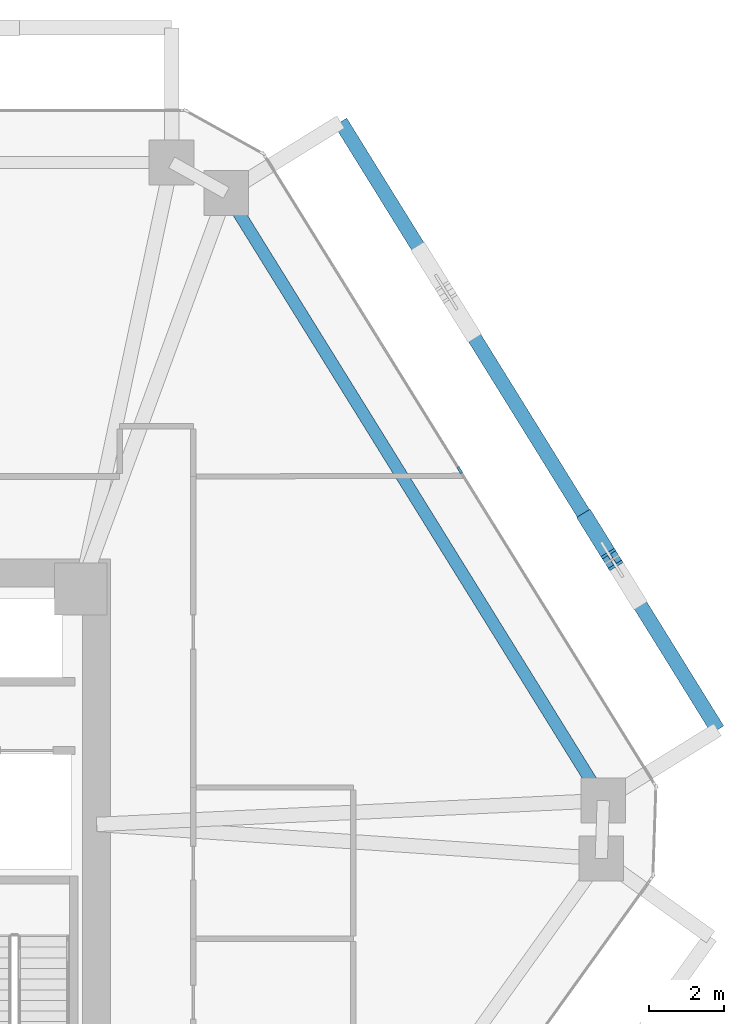
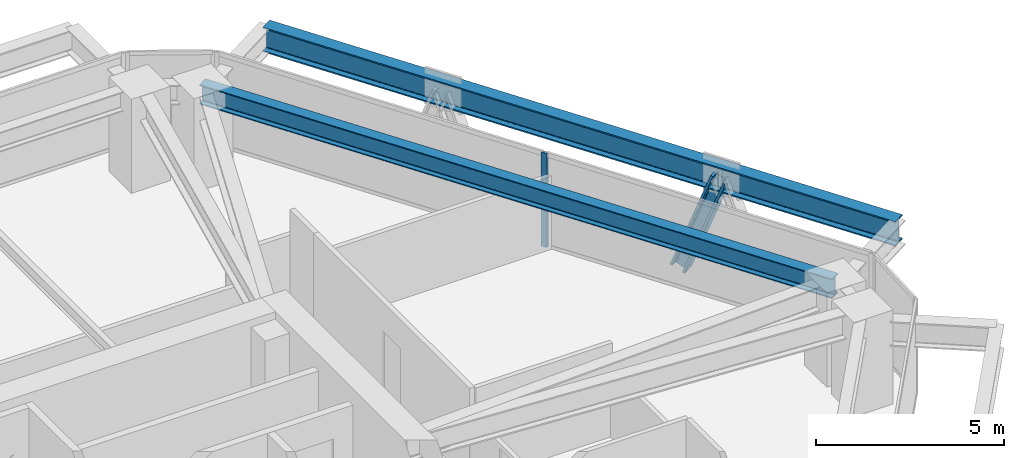
# One storey, part 6 of 15: 2 beams, 2 members, 1 element without a shape of its own.
"""IFC4 building model written with IfcOpenShell, lengths in metres."""

from ifc_helpers import new_model, si_unit, direction, frame, origin, origin_2d, place, context, subcontext, project, spatial, rectangle, i_section, extrude, source, transform, mapped, material, layer, layer_set, material_profile, profile_set, type_object, type_shapes, element, aggregate, save


model = new_model("IFC4")

# Units and contexts
model_context = context("Model", 3, precision=1e-05, world=origin(), true_north=direction((0.0, 1.0)))
body_context = subcontext(model_context, "Body", "Model", "MODEL_VIEW")
ifc_project = project(units=[si_unit("LENGTHUNIT", "METRE"), si_unit("AREAUNIT", "SQUARE_METRE"), si_unit("VOLUMEUNIT", "CUBIC_METRE"), si_unit("PLANEANGLEUNIT", "RADIAN"), si_unit("MASSUNIT", "GRAM", prefix="KILO")], contexts=[model_context])

# Site, building, storey
site_placement = place(None, origin())
site = spatial("IfcSite", under=ifc_project, at=site_placement, CompositionType="ELEMENT")
building_placement = place(site_placement, origin())
building = spatial("IfcBuilding", under=site, at=building_placement, Name="Durnholm Broadcast Tower", CompositionType="ELEMENT")
storey_placement = place(building_placement, frame((0.0, 0.0, 104.10009765625)))
storey = spatial("IfcBuildingStorey", under=building, at=storey_placement, Name="L27", CompositionType="ELEMENT", Elevation=104.10009765625)

# Beams
ifc_material_1 = material(Name="Steel ASTM A992 Grade 50", Category="steel")
ifc_material_profile_1 = material_profile(ifc_material_1, i_section(OverallWidth=0.3291015625, OverallDepth=0.635009765625, WebThickness=0.017822265625, FlangeThickness=0.031005859375, FilletRadius=0.02783203125, at=origin_2d()), Name="W24X162")
ifc_profile_set_1 = profile_set([ifc_material_profile_1], Name="Steel ASTM A992 Grade 50")
beam_type_1 = type_object("IfcBeamType", Name="STL-SP-W24X162", PredefinedType="SPANDREL", material=ifc_profile_set_1)
shared_shape_1 = source(origin(), body_context, "Body", "SweptSolid", [
    extrude(i_section(OverallWidth=0.3291015625, OverallDepth=0.635009765625, WebThickness=0.017822265625, FlangeThickness=0.031005859375, FilletRadius=0.02783203125, at=origin_2d()), origin(), (0.0, 0.0, 1.0), 19.139404296875),
])
type_shapes(beam_type_1, [shared_shape_1])
beam_1_placement = place(storey_placement, frame((13.692138671875, 18.4013671875, 2.727294921875), z_axis=(0.527111038734, -0.84979641847, 0.0), x_axis=(0.84979641847, 0.527111038734, 0.0)))
element("IfcBeam", 1, at=beam_1_placement, inside=storey, type_object=beam_type_1, Name="L27 perimeter spandrel girder 07", PredefinedType="SPANDREL", context=body_context, shape_type="MappedRepresentation", body=[
    mapped(shared_shape_1, transform((0.0, 0.0, 0.0), x_axis=(1.0, 0.0, 0.0), y_axis=(0.0, 1.0, 0.0), z_axis=(0.0, 0.0, 1.0), scale=1.0)),
])
ifc_material_profile_2 = material_profile(ifc_material_1, i_section(OverallWidth=0.385009765625, OverallDepth=0.802978515625, WebThickness=0.023681640625, FlangeThickness=0.0419921875, FilletRadius=0.032958984375, at=origin_2d()), Name="W30X261")
ifc_profile_set_2 = profile_set([ifc_material_profile_2], Name="Steel ASTM A992 Grade 50")
beam_type_2 = type_object("IfcBeamType", Name="BM-EXO-TIE", PredefinedType="USERDEFINED", material=ifc_profile_set_2)
shared_shape_2 = source(origin(), body_context, "Body", "SweptSolid", [
    extrude(i_section(OverallWidth=0.385009765625, OverallDepth=0.802978515625, WebThickness=0.023681640625, FlangeThickness=0.0419921875, FilletRadius=0.032958984375, at=origin_2d()), origin(), (0.0, 0.0, 1.0), 19.139404296875),
])
type_shapes(beam_type_2, [shared_shape_2])
beam_2_placement = place(storey_placement, frame((26.840087890625, 4.0341796875, 2.30859375), z_axis=(-0.527111038734, 0.84979641847, 0.0), x_axis=(-0.84979641847, -0.527111038734, 0.0)))
element("IfcBeam", 2, at=beam_2_placement, inside=storey, type_object=beam_type_2, Name="L27 exoskeleton collector spandrel F3", PredefinedType="SPANDREL", context=body_context, shape_type="MappedRepresentation", body=[
    mapped(shared_shape_2, transform((0.0, 0.0, 0.0), x_axis=(1.0, 0.0, 0.0), y_axis=(0.0, 1.0, 0.0), z_axis=(0.0, 0.0, 1.0), scale=1.0)),
])

# Member
ifc_material_2 = material(Name="Steel ASTM A913 Grade 65", Category="steel")
ifc_material_profile_3 = material_profile(ifc_material_2, i_section(OverallWidth=0.424072265625, OverallDepth=0.47412109375, WebThickness=0.047607421875, FlangeThickness=0.0771484375, FilletRadius=0.030517578125, at=origin_2d()), Name="W14X426")
ifc_profile_set_3 = profile_set([ifc_material_profile_3], Name="Steel ASTM A913 Grade 65")
member_type_1 = type_object("IfcMemberType", Name="STL-DG-W14X426", PredefinedType="BRACE", material=ifc_profile_set_3)
shared_shape_3 = source(origin(), body_context, "Body", "SweptSolid", [
    extrude(i_section(OverallWidth=0.424072265625, OverallDepth=0.47412109375, WebThickness=0.047607421875, FlangeThickness=0.0771484375, FilletRadius=0.030517578125, at=origin_2d()), origin(), (0.0, 0.0, 1.0), 3.523193359375),
])
type_shapes(member_type_1, [shared_shape_3])
member_1_placement = place(storey_placement, frame((23.36474609375, 9.63671875, -0.991455078125), z_axis=(0.184606642766, -0.297560406921, 0.936684681032), x_axis=(0.849750220063, 0.527185511469, 0.0)))
element("IfcMember", 3, at=member_1_placement, inside=storey, type_object=member_type_1, Name="L27 stand-off diagrid brace F3.D1.2", PredefinedType="BRACE", context=body_context, shape_type="MappedRepresentation", body=[
    mapped(shared_shape_3, transform((0.0, 0.0, 0.0), x_axis=(1.0, 0.0, 0.0), y_axis=(0.0, 1.0, 0.0), z_axis=(0.0, 0.0, 1.0), scale=1.0)),
])

# Curtain wall, member
ifc_material_3 = material(Name="Aluminium and Solar Control IGU", Category="aluminium")
ifc_layer = layer(ifc_material_3, 0.18994140625)
ifc_layer_set = layer_set([ifc_layer], Name="Aluminium and Solar Control IGU")
curtain_wall_type = type_object("IfcCurtainWallType", Name="CW-SYS-3", PredefinedType="NOTDEFINED", material=ifc_layer_set)
curtain_wall_placement = place(storey_placement, origin())
curtain_wall = element("IfcCurtainWall", 4, at=curtain_wall_placement, inside=storey, type_object=curtain_wall_type, Name="L27 curtain wall CW-Z12-VIS CW-L27-F06", PredefinedType="NOTDEFINED")
ifc_material_4 = material(Name="Aluminium 6063-T6", Category="aluminium")
ifc_material_profile_4 = material_profile(ifc_material_4, rectangle(XDim=0.070068359375, YDim=0.18994140625, at=origin_2d()), Name="CWM70X190")
ifc_profile_set_4 = profile_set([ifc_material_profile_4], Name="Aluminium 6063-T6")
member_type_2 = type_object("IfcMemberType", Name="CW-SYS-3-MUL", PredefinedType="MULLION", material=ifc_profile_set_4)
shared_shape_4 = source(origin(), body_context, "Body", "SweptSolid", [
    extrude(rectangle(XDim=0.070068359375, YDim=0.18994140625, at=origin_2d()), origin(), (0.0, 0.0, 1.0), 3.059814453125),
])
type_shapes(member_type_2, [shared_shape_4])
member_2_placement = place(storey_placement, frame((19.9423828125, 10.980712890625, 0.0), z_axis=(0.0, 0.0, 1.0), x_axis=(0.849799925229, 0.527105385176, 0.0)))
member_2 = element("IfcMember", 5, at=member_2_placement, type_object=member_type_2, Name="CW-Z12-VIS mullion 2", PredefinedType="MULLION", context=body_context, shape_type="MappedRepresentation", body=[
    mapped(shared_shape_4, transform((0.0, 0.0, 0.0), x_axis=(1.0, 0.0, 0.0), y_axis=(0.0, 1.0, 0.0), z_axis=(0.0, 0.0, 1.0), scale=1.0)),
])
aggregate(curtain_wall, [member_2])

save(model, "model.ifc")
